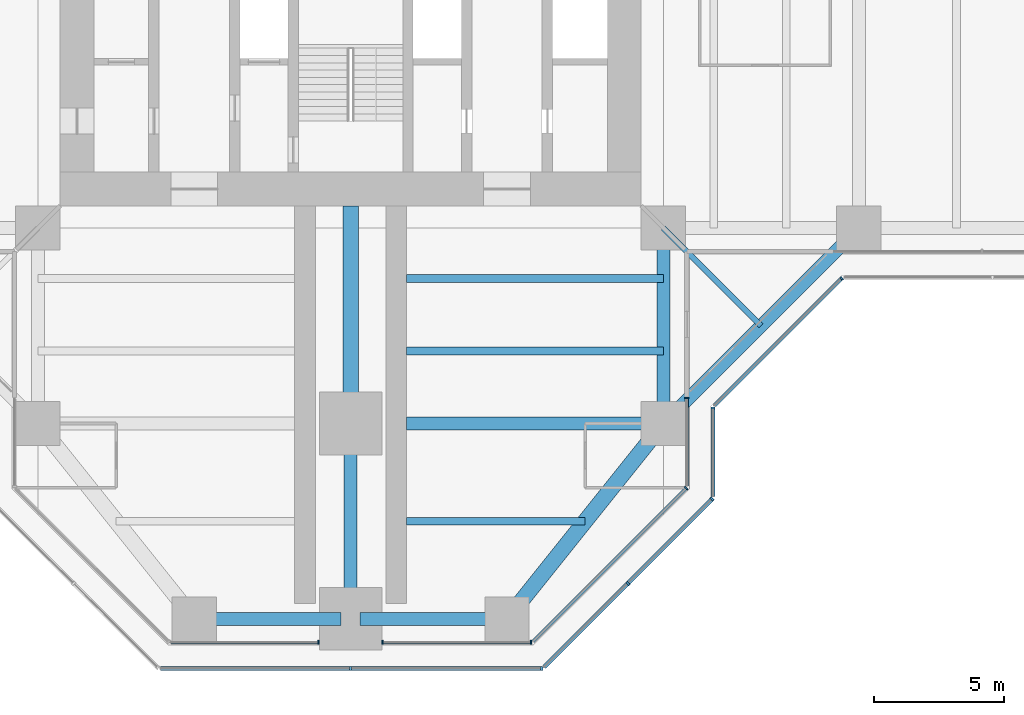
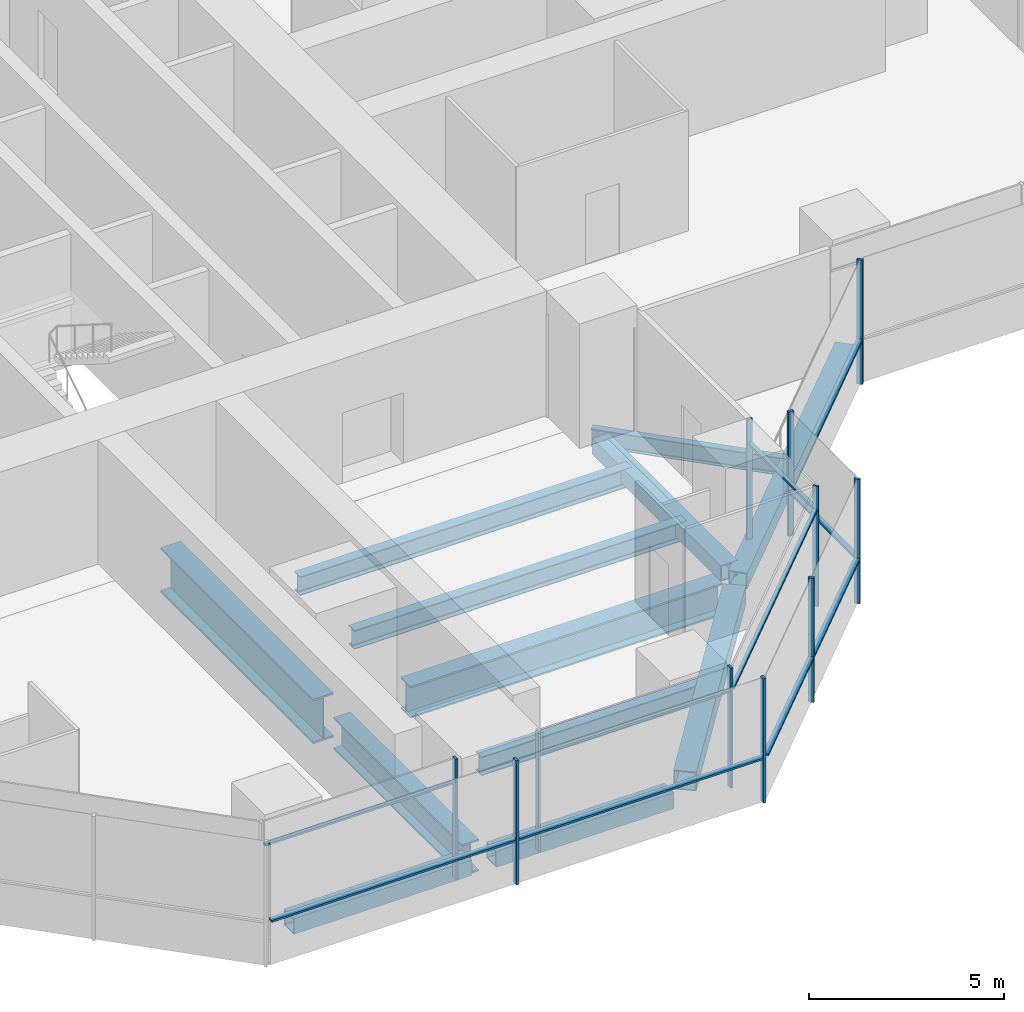
# One storey, part 4 of 19: 21 members, 12 beams, 8 elements without a shape of their own.
"""IFC4 building model written with IfcOpenShell, lengths in metres."""

from ifc_helpers import new_model, si_unit, direction, frame, origin, origin_2d, place, context, subcontext, project, spatial, rectangle, hollow_rectangle, i_section, extrude, material, material_profile, profile_set, type_object, element, aggregate, save


model = new_model("IFC4")

# Units and contexts
model_context = context("Model", 3, precision=1e-05, world=origin(), true_north=direction((0.0, 1.0)))
body_context = subcontext(model_context, "Body", "Model", "MODEL_VIEW")
ifc_project = project(units=[si_unit("LENGTHUNIT", "METRE"), si_unit("AREAUNIT", "SQUARE_METRE"), si_unit("VOLUMEUNIT", "CUBIC_METRE"), si_unit("PLANEANGLEUNIT", "RADIAN"), si_unit("MASSUNIT", "GRAM", prefix="KILO")], contexts=[model_context])

# Site, building, storey
site_placement = place(None, origin())
site = spatial("IfcSite", under=ifc_project, at=site_placement, CompositionType="ELEMENT")
building_placement = place(site_placement, origin())
building = spatial("IfcBuilding", under=site, at=building_placement, Name="Mizan Broadcast Tower", CompositionType="ELEMENT")
storey_placement = place(building_placement, frame((0.0, 0.0, 159.300048828125)))
storey = spatial("IfcBuildingStorey", under=building, at=storey_placement, Name="L36", CompositionType="ELEMENT", Elevation=159.300048828125)

# Beams
ifc_material_1 = material(Name="Steel S355", Category="steel")
ifc_material_profile_1 = material_profile(ifc_material_1, hollow_rectangle(XDim=0.5, YDim=0.5, WallThickness=0.030029296875, at=origin_2d()), Name="BOX 500x500x30")
ifc_profile_set_1 = profile_set([ifc_material_profile_1], Name="Steel S355")
beam_type_1 = type_object("IfcBeamType", Name="EDGE BEAM BOX 500x500x30", PredefinedType="SPANDREL", material=ifc_profile_set_1)
beam_1_placement = place(storey_placement, frame((-5.639892578125, -27.0, -0.380126953125), z_axis=(1.0, 0.0, 0.0), x_axis=(0.0, 1.0, 0.0)))
element("IfcBeam", 1, at=beam_1_placement, inside=storey, type_object=beam_type_1, Name="Edge beam BOX 500x500x30 L36 south arm", PredefinedType="SPANDREL", context=body_context, shape_type="SweptSolid", body=[
    extrude(hollow_rectangle(XDim=0.5, YDim=0.5, WallThickness=0.030029296875, at=origin_2d()), origin(), (0.0, 0.0, 1.0), 5.27978515625),
])
beam_2_placement = place(storey_placement, frame((12.0, -12.449951171875, -0.380126953125), z_axis=(0.0, -1.0, 0.0), x_axis=(1.0, 0.0, 0.0)))
element("IfcBeam", 2, at=beam_2_placement, inside=storey, type_object=beam_type_1, Name="Edge beam BOX 500x500x30 L36 south arm", PredefinedType="SPANDREL", context=body_context, shape_type="SweptSolid", body=[
    extrude(hollow_rectangle(XDim=0.5, YDim=0.5, WallThickness=0.030029296875, at=origin_2d()), origin(), (0.0, 0.0, 1.0), 6.60009765625),
])
beam_3_placement = place(storey_placement, frame((5.639892578125, -27.0, -0.380126953125), z_axis=(-1.0, 0.0, 0.0), x_axis=(0.0, -1.0, 0.0)))
element("IfcBeam", 3, at=beam_3_placement, inside=storey, type_object=beam_type_1, Name="Edge beam BOX 500x500x30 L36 south arm", PredefinedType="SPANDREL", context=body_context, shape_type="SweptSolid", body=[
    extrude(hollow_rectangle(XDim=0.5, YDim=0.5, WallThickness=0.030029296875, at=origin_2d()), origin(), (0.0, 0.0, 1.0), 5.27978515625),
])
beam_4_placement = place(storey_placement, frame((12.0, -19.5, -0.380126953125), z_axis=(0.707106781187, 0.707106781187, 0.0), x_axis=(-0.707106781187, 0.707106781187, 0.0)))
element("IfcBeam", 4, at=beam_4_placement, inside=storey, type_object=beam_type_1, Name="Winter garden edge beam L36 S", PredefinedType="SPANDREL", context=body_context, shape_type="SweptSolid", body=[
    extrude(hollow_rectangle(XDim=0.5, YDim=0.5, WallThickness=0.030029296875, at=origin_2d()), origin(), (0.0, 0.0, 1.0), 10.606689453125),
])
ifc_material_2 = material(Name="Steel S355", Category="steel")
ifc_material_profile_2 = material_profile(ifc_material_2, hollow_rectangle(XDim=0.60009765625, YDim=0.60009765625, WallThickness=0.030029296875, at=origin_2d()), Name="BOX 600x600x30")
ifc_profile_set_2 = profile_set([ifc_material_profile_2], Name="Steel S355")
beam_type_2 = type_object("IfcBeamType", Name="EDGE BEAM BOX 600x600x30", PredefinedType="SPANDREL", material=ifc_profile_set_2)
beam_5_placement = place(storey_placement, frame((11.639892578125, -19.949951171875, -0.429931640625), z_axis=(-0.624673911726, -0.780885717636, 0.0), x_axis=(0.780885717636, -0.624673911726, 0.0)))
element("IfcBeam", 5, at=beam_5_placement, inside=storey, type_object=beam_type_2, Name="Edge beam BOX 600x600x30 L36 south arm", PredefinedType="SPANDREL", context=body_context, shape_type="SweptSolid", body=[
    extrude(hollow_rectangle(XDim=0.60009765625, YDim=0.60009765625, WallThickness=0.030029296875, at=origin_2d()), origin(), (0.0, 0.0, 1.0), 8.4521484375),
])
ifc_material_3 = material(Name="Steel S460", Category="steel")
ifc_material_profile_3 = material_profile(ifc_material_3, i_section(OverallWidth=0.5, OverallDepth=1.0, WebThickness=0.02490234375, FlangeThickness=0.050048828125, at=origin_2d()), Name="WPG 1000x500")
ifc_profile_set_3 = profile_set([ifc_material_profile_3], Name="Steel S460")
beam_type_3 = type_object("IfcBeamType", Name="GIRDER WPG 1000x500", PredefinedType="BEAM", material=ifc_profile_set_3)
beam_6_placement = place(storey_placement, frame((0.0, -19.949951171875, -0.630126953125), z_axis=(0.0, -1.0, 0.0), x_axis=(1.0, 0.0, 0.0)))
element("IfcBeam", 6, at=beam_6_placement, inside=storey, type_object=beam_type_3, Name="Girder WPG 1000x500 L36 south arm", PredefinedType="BEAM", context=body_context, shape_type="SweptSolid", body=[
    extrude(i_section(OverallWidth=0.5, OverallDepth=1.0, WebThickness=0.02490234375, FlangeThickness=0.050048828125, at=origin_2d()), origin(), (0.0, 0.0, 1.0), 6.60009765625),
])
beam_7_placement = place(storey_placement, frame((11.408935546875, -19.5, -0.630126953125), z_axis=(-1.0, 0.0, 0.0), x_axis=(0.0, -1.0, 0.0)))
element("IfcBeam", 7, at=beam_7_placement, inside=storey, type_object=beam_type_3, Name="Girder WPG 1000x500 L36 south arm", PredefinedType="BEAM", context=body_context, shape_type="SweptSolid", body=[
    extrude(i_section(OverallWidth=0.5, OverallDepth=1.0, WebThickness=0.02490234375, FlangeThickness=0.050048828125, at=origin_2d()), origin(), (0.0, 0.0, 1.0), 9.259033203125),
])
ifc_material_4 = material(Name="Steel S460", Category="steel")
ifc_material_profile_4 = material_profile(ifc_material_4, i_section(OverallWidth=0.60009765625, OverallDepth=1.39990234375, WebThickness=0.02490234375, FlangeThickness=0.06005859375, at=origin_2d()), Name="WPG 1400x600")
ifc_profile_set_4 = profile_set([ifc_material_profile_4], Name="Steel S460")
beam_type_4 = type_object("IfcBeamType", Name="GIRDER WPG 1400x600", PredefinedType="BEAM", material=ifc_profile_set_4)
beam_8_placement = place(storey_placement, frame((0.0, -11.14990234375, -0.830078125), z_axis=(0.0, -1.0, 0.0), x_axis=(1.0, 0.0, 0.0)))
element("IfcBeam", 8, at=beam_8_placement, inside=storey, type_object=beam_type_4, Name="Girder WPG 1400x600 L36 south arm", PredefinedType="BEAM", context=body_context, shape_type="SweptSolid", body=[
    extrude(i_section(OverallWidth=0.60009765625, OverallDepth=1.39990234375, WebThickness=0.02490234375, FlangeThickness=0.06005859375, at=origin_2d()), origin(), (0.0, 0.0, 1.0), 7.84912109375),
])

# Curtain wall, member
ifc_material_5 = material(Name="Aluminium framed glazing", Category="aluminium")
curtain_wall_type_1 = type_object("IfcCurtainWallType", Name="INNER SKIN MID ZONE", PredefinedType="USERDEFINED", material=ifc_material_5)
curtain_wall_1_placement = place(storey_placement, origin())
curtain_wall_1 = element("IfcCurtainWall", 9, at=curtain_wall_1_placement, inside=storey, type_object=curtain_wall_type_1, Name="Inner skin mid zone L36 S end", ObjectType="INNER SKIN MID ZONE", PredefinedType="USERDEFINED")
ifc_material_6 = material(Name="Aluminium, pale anodised", Category="aluminium")
ifc_material_profile_5 = material_profile(ifc_material_6, rectangle(XDim=0.159912109375, YDim=0.06005859375, at=origin_2d()), Name="MULLION 160x60")
ifc_profile_set_5 = profile_set([ifc_material_profile_5], Name="Aluminium, pale anodised")
member_type_1 = type_object("IfcMemberType", Name="INNER SKIN MULLION 60x160", PredefinedType="MULLION", material=ifc_profile_set_5)
member_1_placement = place(storey_placement, frame((-1.22998046875, -27.89990234375, 0.0), z_axis=(0.0, 0.0, 1.0), x_axis=(0.0, 1.0, 0.0)))
member_1 = element("IfcMember", 10, at=member_1_placement, type_object=member_type_1, Name="Inner skin mid zone L36 S end mullion 2", PredefinedType="MULLION", context=body_context, shape_type="SweptSolid", body=[
    extrude(rectangle(XDim=0.159912109375, YDim=0.06005859375, at=origin_2d()), origin(), (0.0, 0.0, 1.0), 3.77001953125),
])

# Curtain wall, members
curtain_wall_2_placement = place(storey_placement, origin())
curtain_wall_2 = element("IfcCurtainWall", 11, at=curtain_wall_2_placement, inside=storey, type_object=curtain_wall_type_1, Name="Inner skin mid zone L36 S end", ObjectType="INNER SKIN MID ZONE", PredefinedType="USERDEFINED")
member_2_placement = place(storey_placement, frame((1.22998046875, -27.89990234375, 0.0), z_axis=(0.0, 0.0, 1.0), x_axis=(0.0, 1.0, 0.0)))
member_2 = element("IfcMember", 12, at=member_2_placement, type_object=member_type_1, Name="Inner skin mid zone L36 S end mullion 1", PredefinedType="MULLION", context=body_context, shape_type="SweptSolid", body=[
    extrude(rectangle(XDim=0.159912109375, YDim=0.06005859375, at=origin_2d()), origin(), (0.0, 0.0, 1.0), 3.77001953125),
])
member_3_placement = place(storey_placement, frame((6.928466796875, -27.89990234375, 0.0), z_axis=(0.0, 0.0, 1.0), x_axis=(0.0, 1.0, 0.0)))
member_3 = element("IfcMember", 13, at=member_3_placement, type_object=member_type_1, Name="Inner skin mid zone L36 S end mullion 2", PredefinedType="MULLION", context=body_context, shape_type="SweptSolid", body=[
    extrude(rectangle(XDim=0.159912109375, YDim=0.06005859375, at=origin_2d()), origin(), (0.0, 0.0, 1.0), 3.77001953125),
])

# Curtain wall, member
curtain_wall_3_placement = place(storey_placement, origin())
curtain_wall_3 = element("IfcCurtainWall", 14, at=curtain_wall_3_placement, inside=storey, type_object=curtain_wall_type_1, Name="Inner skin mid zone L36 S chamfer", ObjectType="INNER SKIN MID ZONE", PredefinedType="USERDEFINED")
member_4_placement = place(storey_placement, frame((12.87890625, -21.979736328125, 0.0), z_axis=(0.0, 0.0, 1.0), x_axis=(-0.707106781187, 0.707106781187, 0.0)))
member_4 = element("IfcMember", 15, at=member_4_placement, type_object=member_type_1, Name="Inner skin mid zone L36 S chamfer mullion 2", PredefinedType="MULLION", context=body_context, shape_type="SweptSolid", body=[
    extrude(rectangle(XDim=0.159912109375, YDim=0.06005859375, at=origin_2d()), origin(), (0.0, 0.0, 1.0), 3.77001953125),
])

curtain_wall_4_placement = place(storey_placement, origin())
curtain_wall_4 = element("IfcCurtainWall", 16, at=curtain_wall_4_placement, inside=storey, type_object=curtain_wall_type_1, Name="Inner skin mid zone L36 S side", ObjectType="INNER SKIN MID ZONE", PredefinedType="USERDEFINED")
member_5_placement = place(storey_placement, frame((12.89990234375, -18.530029296875, 0.0), z_axis=(0.0, 0.0, 1.0), x_axis=(-1.0, 0.0, 0.0)))
member_5 = element("IfcMember", 17, at=member_5_placement, type_object=member_type_1, Name="Inner skin mid zone L36 S side mullion 2", PredefinedType="MULLION", context=body_context, shape_type="SweptSolid", body=[
    extrude(rectangle(XDim=0.159912109375, YDim=0.06005859375, at=origin_2d()), origin(), (0.0, 0.0, 1.0), 3.77001953125),
])

# Member
ifc_material_7 = material(Name="Aluminium, pale anodised", Category="aluminium")
ifc_material_profile_6 = material_profile(ifc_material_7, rectangle(XDim=0.1201171875, YDim=0.06005859375, at=origin_2d()), Name="TRANSOM 120x60")
ifc_profile_set_6 = profile_set([ifc_material_profile_6], Name="Aluminium, pale anodised")
member_type_2 = type_object("IfcMemberType", Name="INNER SKIN TRANSOM 60x120", PredefinedType="USERDEFINED", material=ifc_profile_set_6)
member_6_placement = place(storey_placement, frame((-6.898681640625, -27.89990234375, 3.030029296875), z_axis=(1.0, 0.0, 0.0), x_axis=(0.0, 1.0, 0.0)))
member_6 = element("IfcMember", 18, at=member_6_placement, type_object=member_type_2, Name="Inner skin mid zone L36 S end transom 1.1", ObjectType="TRANSOM", PredefinedType="USERDEFINED", context=body_context, shape_type="SweptSolid", body=[
    extrude(rectangle(XDim=0.1201171875, YDim=0.06005859375, at=origin_2d()), origin(), (0.0, 0.0, 1.0), 5.638671875),
])

aggregate(curtain_wall_1, [member_1, member_6])

member_7_placement = place(storey_placement, frame((1.260009765625, -27.89990234375, 3.030029296875), z_axis=(1.0, 0.0, 0.0), x_axis=(0.0, 1.0, 0.0)))
member_7 = element("IfcMember", 19, at=member_7_placement, type_object=member_type_2, Name="Inner skin mid zone L36 S end transom 1.1", ObjectType="TRANSOM", PredefinedType="USERDEFINED", context=body_context, shape_type="SweptSolid", body=[
    extrude(rectangle(XDim=0.1201171875, YDim=0.06005859375, at=origin_2d()), origin(), (0.0, 0.0, 1.0), 5.638671875),
])

aggregate(curtain_wall_2, [member_2, member_3, member_7])

member_8_placement = place(storey_placement, frame((7.0009765625, -27.857666015625, 3.030029296875), z_axis=(0.707106781187, 0.707106781187, 0.0), x_axis=(-0.707106781187, 0.707106781187, 0.0)))
member_8 = element("IfcMember", 20, at=member_8_placement, type_object=member_type_2, Name="Inner skin mid zone L36 S chamfer transom 1.1", ObjectType="TRANSOM", PredefinedType="USERDEFINED", context=body_context, shape_type="SweptSolid", body=[
    extrude(rectangle(XDim=0.1201171875, YDim=0.06005859375, at=origin_2d()), origin(), (0.0, 0.0, 1.0), 8.28271484375),
])

aggregate(curtain_wall_3, [member_4, member_8])

member_9_placement = place(storey_placement, frame((12.89990234375, -21.898681640625, 3.030029296875), z_axis=(0.0, 1.0, 0.0), x_axis=(-1.0, 0.0, 0.0)))
member_9 = element("IfcMember", 21, at=member_9_placement, type_object=member_type_2, Name="Inner skin mid zone L36 S side transom 1.1", ObjectType="TRANSOM", PredefinedType="USERDEFINED", context=body_context, shape_type="SweptSolid", body=[
    extrude(rectangle(XDim=0.1201171875, YDim=0.06005859375, at=origin_2d()), origin(), (0.0, 0.0, 1.0), 3.338623046875),
])

aggregate(curtain_wall_4, [member_5, member_9])

# Curtain wall, members
ifc_material_8 = material(Name="Aluminium framed glazing", Category="aluminium")
curtain_wall_type_2 = type_object("IfcCurtainWallType", Name="OUTER SKIN", PredefinedType="USERDEFINED", material=ifc_material_8)
curtain_wall_5_placement = place(storey_placement, origin())
curtain_wall_5 = element("IfcCurtainWall", 22, at=curtain_wall_5_placement, inside=storey, type_object=curtain_wall_type_2, Name="Outer skin L36 S end", ObjectType="OUTER SKIN", PredefinedType="USERDEFINED")
ifc_material_9 = material(Name="Aluminium, pale anodised", Category="aluminium")
ifc_material_profile_7 = material_profile(ifc_material_9, rectangle(XDim=0.159912109375, YDim=0.080078125, at=origin_2d()), Name="MULLION 160x80")
ifc_profile_set_7 = profile_set([ifc_material_profile_7], Name="Aluminium, pale anodised")
member_type_3 = type_object("IfcMemberType", Name="OUTER SKIN MULLION 80x160", PredefinedType="MULLION", material=ifc_profile_set_7)
member_10_placement = place(storey_placement, frame((0.0, -28.89990234375, 0.0), z_axis=(0.0, 0.0, 1.0), x_axis=(0.0, 1.0, 0.0)))
member_10 = element("IfcMember", 23, at=member_10_placement, type_object=member_type_3, Name="Outer skin L36 S end mullion 2", PredefinedType="MULLION", context=body_context, shape_type="SweptSolid", body=[
    extrude(rectangle(XDim=0.159912109375, YDim=0.080078125, at=origin_2d()), origin(), (0.0, 0.0, 1.0), 3.89990234375),
])
member_11_placement = place(storey_placement, frame((7.332763671875, -28.89990234375, 0.0), z_axis=(0.0, 0.0, 1.0), x_axis=(0.0, 1.0, 0.0)))
member_11 = element("IfcMember", 24, at=member_11_placement, type_object=member_type_3, Name="Outer skin L36 S end mullion 3", PredefinedType="MULLION", context=body_context, shape_type="SweptSolid", body=[
    extrude(rectangle(XDim=0.159912109375, YDim=0.080078125, at=origin_2d()), origin(), (0.0, 0.0, 1.0), 3.89990234375),
])

curtain_wall_6_placement = place(storey_placement, origin())
curtain_wall_6 = element("IfcCurtainWall", 25, at=curtain_wall_6_placement, inside=storey, type_object=curtain_wall_type_2, Name="Outer skin L36 S chamfer", ObjectType="OUTER SKIN", PredefinedType="USERDEFINED")
member_12_placement = place(storey_placement, frame((10.636474609375, -25.636474609375, 0.0), z_axis=(0.0, 0.0, 1.0), x_axis=(-0.707106781187, 0.707106781187, 0.0)))
member_12 = element("IfcMember", 26, at=member_12_placement, type_object=member_type_3, Name="Outer skin L36 S chamfer mullion 2", PredefinedType="MULLION", context=body_context, shape_type="SweptSolid", body=[
    extrude(rectangle(XDim=0.159912109375, YDim=0.080078125, at=origin_2d()), origin(), (0.0, 0.0, 1.0), 3.89990234375),
])
member_13_placement = place(storey_placement, frame((13.871826171875, -22.401123046875, 0.0), z_axis=(0.0, 0.0, 1.0), x_axis=(-0.707106781187, 0.707106781187, 0.0)))
member_13 = element("IfcMember", 27, at=member_13_placement, type_object=member_type_3, Name="Outer skin L36 S chamfer mullion 3", PredefinedType="MULLION", context=body_context, shape_type="SweptSolid", body=[
    extrude(rectangle(XDim=0.159912109375, YDim=0.080078125, at=origin_2d()), origin(), (0.0, 0.0, 1.0), 3.89990234375),
])

# Curtain wall, member
curtain_wall_7_placement = place(storey_placement, origin())
curtain_wall_7 = element("IfcCurtainWall", 28, at=curtain_wall_7_placement, inside=storey, type_object=curtain_wall_type_2, Name="Outer skin L36 S side", ObjectType="OUTER SKIN", PredefinedType="USERDEFINED")
member_14_placement = place(storey_placement, frame((13.89990234375, -18.912841796875, 0.0), z_axis=(0.0, 0.0, 1.0), x_axis=(-1.0, 0.0, 0.0)))
member_14 = element("IfcMember", 29, at=member_14_placement, type_object=member_type_3, Name="Outer skin L36 S side mullion 2", PredefinedType="MULLION", context=body_context, shape_type="SweptSolid", body=[
    extrude(rectangle(XDim=0.159912109375, YDim=0.080078125, at=origin_2d()), origin(), (0.0, 0.0, 1.0), 3.89990234375),
])

curtain_wall_8_placement = place(storey_placement, origin())
curtain_wall_8 = element("IfcCurtainWall", 30, at=curtain_wall_8_placement, inside=storey, type_object=curtain_wall_type_2, Name="Outer skin L36 E chamfer", ObjectType="OUTER SKIN", PredefinedType="USERDEFINED")
member_15_placement = place(storey_placement, frame((18.844482421875, -13.92822265625, 0.0), z_axis=(0.0, 0.0, 1.0), x_axis=(-0.707106781187, 0.707106781187, 0.0)))
member_15 = element("IfcMember", 31, at=member_15_placement, type_object=member_type_3, Name="Outer skin L36 E chamfer mullion 2", PredefinedType="MULLION", context=body_context, shape_type="SweptSolid", body=[
    extrude(rectangle(XDim=0.159912109375, YDim=0.080078125, at=origin_2d()), origin(), (0.0, 0.0, 1.0), 3.89990234375),
])

# Member
ifc_material_10 = material(Name="Aluminium, pale anodised", Category="aluminium")
ifc_material_profile_8 = material_profile(ifc_material_10, rectangle(XDim=0.159912109375, YDim=0.06005859375, at=origin_2d()), Name="TRANSOM 160x60")
ifc_profile_set_8 = profile_set([ifc_material_profile_8], Name="Aluminium, pale anodised")
member_type_4 = type_object("IfcMemberType", Name="OUTER SKIN TRANSOM 60x160", PredefinedType="USERDEFINED", material=ifc_profile_set_8)
member_16_placement = place(storey_placement, frame((-7.292724609375, -28.89990234375, 1.39990234375), z_axis=(1.0, 0.0, 0.0), x_axis=(0.0, 1.0, 0.0)))
member_16 = element("IfcMember", 32, at=member_16_placement, type_object=member_type_4, Name="Outer skin L36 S end transom 1.1", ObjectType="TRANSOM", PredefinedType="USERDEFINED", context=body_context, shape_type="SweptSolid", body=[
    extrude(rectangle(XDim=0.159912109375, YDim=0.06005859375, at=origin_2d()), origin(), (0.0, 0.0, 1.0), 7.252685546875),
])

member_17_placement = place(storey_placement, frame((0.0400390625, -28.89990234375, 1.39990234375), z_axis=(1.0, 0.0, 0.0), x_axis=(0.0, 1.0, 0.0)))
member_17 = element("IfcMember", 33, at=member_17_placement, type_object=member_type_4, Name="Outer skin L36 S end transom 2.1", ObjectType="TRANSOM", PredefinedType="USERDEFINED", context=body_context, shape_type="SweptSolid", body=[
    extrude(rectangle(XDim=0.159912109375, YDim=0.06005859375, at=origin_2d()), origin(), (0.0, 0.0, 1.0), 7.252685546875),
])

aggregate(curtain_wall_5, [member_10, member_11, member_16, member_17])

member_18_placement = place(storey_placement, frame((7.429443359375, -28.843505859375, 1.39990234375), z_axis=(0.707106781187, 0.707106781187, 0.0), x_axis=(-0.707106781187, 0.707106781187, 0.0)))
member_18 = element("IfcMember", 34, at=member_18_placement, type_object=member_type_4, Name="Outer skin L36 S chamfer transom 1.1", ObjectType="TRANSOM", PredefinedType="USERDEFINED", context=body_context, shape_type="SweptSolid", body=[
    extrude(rectangle(XDim=0.159912109375, YDim=0.06005859375, at=origin_2d()), origin(), (0.0, 0.0, 1.0), 4.495361328125),
])

member_19_placement = place(storey_placement, frame((10.664794921875, -25.608154296875, 1.39990234375), z_axis=(0.707106781187, 0.707106781187, 0.0), x_axis=(-0.707106781187, 0.707106781187, 0.0)))
member_19 = element("IfcMember", 35, at=member_19_placement, type_object=member_type_4, Name="Outer skin L36 S chamfer transom 2.1", ObjectType="TRANSOM", PredefinedType="USERDEFINED", context=body_context, shape_type="SweptSolid", body=[
    extrude(rectangle(XDim=0.159912109375, YDim=0.06005859375, at=origin_2d()), origin(), (0.0, 0.0, 1.0), 4.495361328125),
])

aggregate(curtain_wall_6, [member_12, member_13, member_18, member_19])

member_20_placement = place(storey_placement, frame((13.89990234375, -22.292724609375, 1.39990234375), z_axis=(0.0, 1.0, 0.0), x_axis=(-1.0, 0.0, 0.0)))
member_20 = element("IfcMember", 36, at=member_20_placement, type_object=member_type_4, Name="Outer skin L36 S side transom 1.1", ObjectType="TRANSOM", PredefinedType="USERDEFINED", context=body_context, shape_type="SweptSolid", body=[
    extrude(rectangle(XDim=0.159912109375, YDim=0.06005859375, at=origin_2d()), origin(), (0.0, 0.0, 1.0), 3.33984375),
])

aggregate(curtain_wall_7, [member_14, member_20])

member_21_placement = place(storey_placement, frame((13.95654296875, -18.816162109375, 1.39990234375), z_axis=(0.707106781187, 0.707106781187, 0.0), x_axis=(-0.707106781187, 0.707106781187, 0.0)))
member_21 = element("IfcMember", 37, at=member_21_placement, type_object=member_type_4, Name="Outer skin L36 E chamfer transom 1.1", ObjectType="TRANSOM", PredefinedType="USERDEFINED", context=body_context, shape_type="SweptSolid", body=[
    extrude(rectangle(XDim=0.159912109375, YDim=0.06005859375, at=origin_2d()), origin(), (0.0, 0.0, 1.0), 6.87255859375),
])

aggregate(curtain_wall_8, [member_15, member_21])

# Beams
ifc_material_11 = material(Name="Steel S355", Category="steel")
ifc_material_profile_9 = material_profile(ifc_material_11, i_section(OverallWidth=0.300048828125, OverallDepth=0.590087890625, WebThickness=0.012939453125, FlangeThickness=0.02490234375, FilletRadius=0.027099609375, at=origin_2d()), Name="HEA 600")
ifc_profile_set_9 = profile_set([ifc_material_profile_9], Name="Steel S355")
beam_type_5 = type_object("IfcBeamType", Name="SECONDARY BEAM HEA 600", PredefinedType="JOIST", material=ifc_profile_set_9)
for number, where, z_axis, x_axis, name in (
    (38, (12.0, -13.933349609375, -0.425048828125), (-1.0, 0.0, 0.0), (0.0, -1.0, 0.0), "Secondary beam HEA 600 L36 south arm"),
    (39, (12.0, -16.716552734375, -0.425048828125), (-1.0, 0.0, 0.0), (0.0, -1.0, 0.0), "Secondary beam HEA 600 L36 south arm"),
):
    element("IfcBeam", number, at=place(storey_placement, frame(where, z_axis=z_axis, x_axis=x_axis)), inside=storey, type_object=beam_type_5, Name=name, PredefinedType="JOIST", context=body_context, shape_type="SweptSolid", body=[
        extrude(i_section(OverallWidth=0.300048828125, OverallDepth=0.590087890625, WebThickness=0.012939453125, FlangeThickness=0.02490234375, FilletRadius=0.027099609375, at=origin_2d()), origin(), (0.0, 0.0, 1.0), 9.85009765625),
    ])
beam_9_placement = place(storey_placement, frame((9.0, -23.25, -0.425048828125), z_axis=(-1.0, 0.0, 0.0), x_axis=(0.0, -1.0, 0.0)))
element("IfcBeam", 40, at=beam_9_placement, inside=storey, type_object=beam_type_5, Name="Secondary beam HEA 600 L36 south arm", PredefinedType="JOIST", context=body_context, shape_type="SweptSolid", body=[
    extrude(i_section(OverallWidth=0.300048828125, OverallDepth=0.590087890625, WebThickness=0.012939453125, FlangeThickness=0.02490234375, FilletRadius=0.027099609375, at=origin_2d()), origin(), (0.0, 0.0, 1.0), 6.85009765625),
])
ifc_material_12 = material(Name="Steel S355", Category="steel")
ifc_material_profile_10 = material_profile(ifc_material_12, i_section(OverallWidth=0.2099609375, OverallDepth=0.550048828125, WebThickness=0.010986328125, FlangeThickness=0.01708984375, FilletRadius=0.02392578125, at=origin_2d()), Name="IPE 550")
ifc_profile_set_10 = profile_set([ifc_material_profile_10], Name="Steel S355")
beam_type_6 = type_object("IfcBeamType", Name="SECONDARY BEAM IPE 550", PredefinedType="JOIST", material=ifc_profile_set_10)
beam_10_placement = place(storey_placement, frame((12.0, -12.0, -0.405029296875), z_axis=(0.707106781187, -0.707106781187, 0.0), x_axis=(0.707106781187, 0.707106781187, 0.0)))
element("IfcBeam", 41, at=beam_10_placement, inside=storey, type_object=beam_type_6, Name="Winter garden beam L36 S", PredefinedType="JOIST", context=body_context, shape_type="SweptSolid", body=[
    extrude(i_section(OverallWidth=0.2099609375, OverallDepth=0.550048828125, WebThickness=0.010986328125, FlangeThickness=0.01708984375, FilletRadius=0.02392578125, at=origin_2d()), origin(), (0.0, 0.0, 1.0), 5.30322265625),
])

save(model, "model.ifc")
